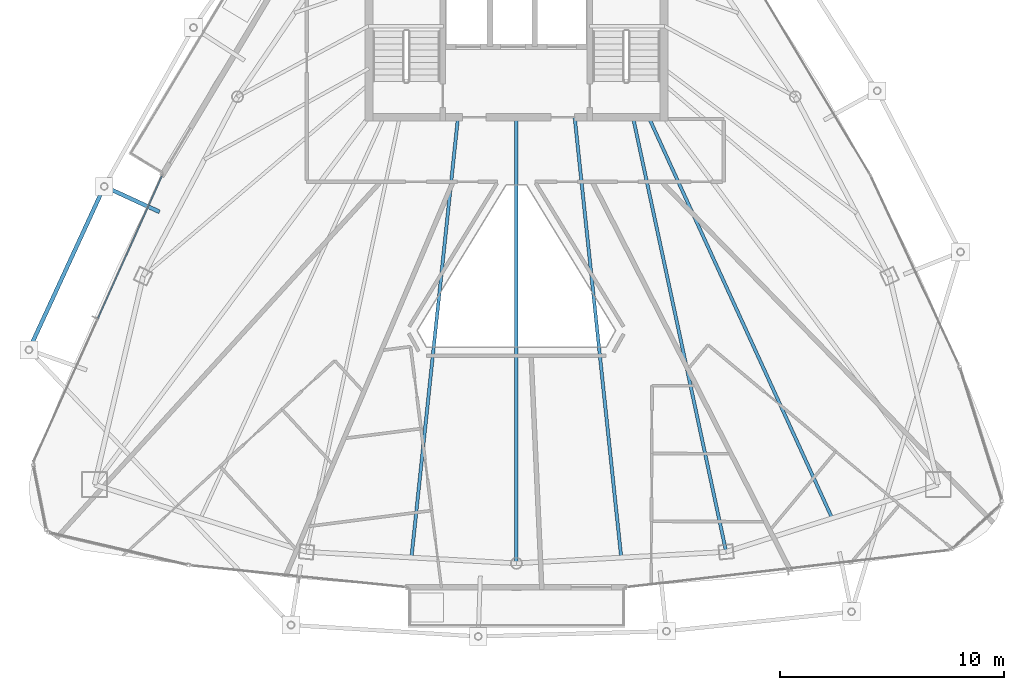
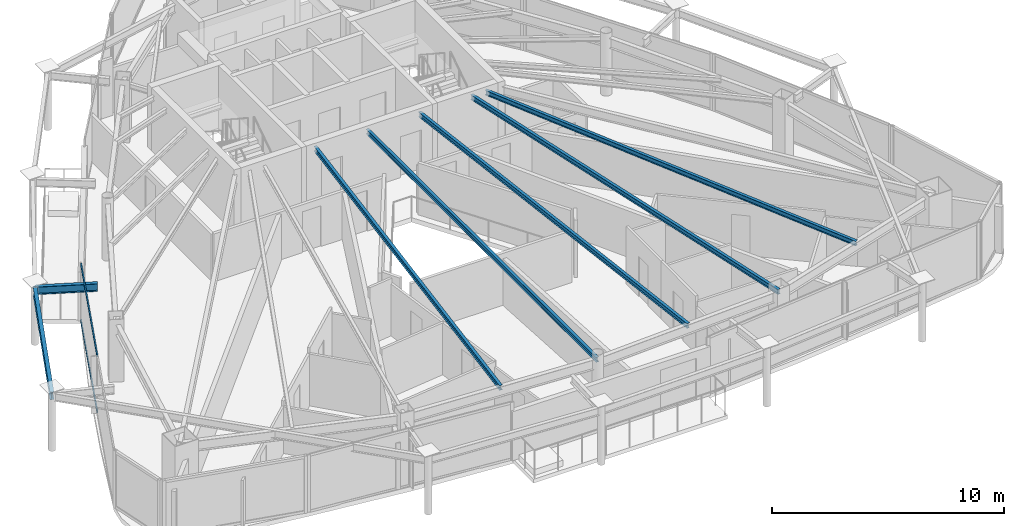
# One storey, part 9 of 30: 7 beams, 2 members, 1 element without a shape of its own.
"""IFC4 building model written with IfcOpenShell, lengths in metres."""

from ifc_helpers import new_model, si_unit, direction, frame, origin, origin_2d, place, context, subcontext, project, spatial, hollow_rectangle, i_section, extrude, material, layer, layer_set, material_profile, profile_set, type_object, element, aggregate, save


model = new_model("IFC4")

# Units and contexts
model_context = context("Model", 3, precision=1e-05, world=origin(), true_north=direction((0.0, 1.0)))
body_context = subcontext(model_context, "Body", "Model", "MODEL_VIEW")
ifc_project = project(units=[si_unit("LENGTHUNIT", "METRE"), si_unit("AREAUNIT", "SQUARE_METRE"), si_unit("VOLUMEUNIT", "CUBIC_METRE"), si_unit("PLANEANGLEUNIT", "RADIAN"), si_unit("MASSUNIT", "GRAM", prefix="KILO")], contexts=[model_context])

# Site, building, storey
site_placement = place(None, origin())
site = spatial("IfcSite", under=ifc_project, at=site_placement, CompositionType="ELEMENT")
building_placement = place(site_placement, origin())
building = spatial("IfcBuilding", under=site, at=building_placement, Name="Orvanel Arch Residences", CompositionType="ELEMENT")
storey_placement = place(building_placement, frame((0.0, 0.0, 273.35009765625)))
storey = spatial("IfcBuildingStorey", under=building, at=storey_placement, Name="L78", CompositionType="ELEMENT", Elevation=273.35009765625)

# Beams
ifc_material_1 = material(Name="Structural steel AS/NZS 3679.1 Grade 300 (300 MPa)", Category="steel")
ifc_material_profile_1 = material_profile(ifc_material_1, i_section(OverallWidth=0.14599609375, OverallDepth=0.251953125, WebThickness=0.006103515625, FlangeThickness=0.008544921875, at=origin_2d()), Name="250UB31.4")
ifc_profile_set_1 = profile_set([ifc_material_profile_1], Name="Structural steel AS/NZS 3679.1 Grade 300 (300 MPa)")
beam_type_1 = type_object("IfcBeamType", Name="BJ-250UB", PredefinedType="JOIST", material=ifc_profile_set_1)
beam_1_placement = place(storey_placement, frame((38.199951171875, 26.72509765625, 2.893798828125), z_axis=(0.209547604985, -0.977798446125, 0.0), x_axis=(0.977798446125, 0.209547604985, 0.0)))
element("IfcBeam", 1, at=beam_1_placement, inside=storey, type_object=beam_type_1, Name="L78 SE Wing Floor Joist", PredefinedType="JOIST", context=body_context, shape_type="SweptSolid", body=[
    extrude(i_section(OverallWidth=0.14599609375, OverallDepth=0.251953125, WebThickness=0.006103515625, FlangeThickness=0.008544921875, at=origin_2d()), origin(), (0.0, 0.0, 1.0), 19.809814453125),
])
beam_2_placement = place(storey_placement, frame((33.0, 26.72509765625, 2.893798828125), z_axis=(0.0, -1.0, 0.0), x_axis=(1.0, 0.0, 0.0)))
element("IfcBeam", 2, at=beam_2_placement, inside=storey, type_object=beam_type_1, Name="L78 SSW Wing Floor Joist", PredefinedType="JOIST", context=body_context, shape_type="SweptSolid", body=[
    extrude(i_section(OverallWidth=0.14599609375, OverallDepth=0.251953125, WebThickness=0.006103515625, FlangeThickness=0.008544921875, at=origin_2d()), origin(), (0.0, 0.0, 1.0), 19.881103515625),
])
for number, where, z_axis, x_axis, name in (
    (3, (30.39990234375, 26.72509765625, 2.893798828125), (-0.105143936131, -0.994457014, 0.0), (0.994457014, -0.105143936131, 0.0), "L78 WSW2 Wing Floor Joist"),
    (4, (35.60009765625, 26.72509765625, 2.893798828125), (0.105143936131, -0.994457014, 0.0), (0.994457014, 0.105143936131, 0.0), "L78 ESE2 Wing Floor Joist"),
):
    element("IfcBeam", number, at=place(storey_placement, frame(where, z_axis=z_axis, x_axis=x_axis)), inside=storey, type_object=beam_type_1, Name=name, PredefinedType="JOIST", context=body_context, shape_type="SweptSolid", body=[
        extrude(i_section(OverallWidth=0.14599609375, OverallDepth=0.251953125, WebThickness=0.006103515625, FlangeThickness=0.008544921875, at=origin_2d()), origin(), (0.0, 0.0, 1.0), 19.734375),
    ])
beam_3_placement = place(storey_placement, frame((38.89990234375, 26.72509765625, 2.893798828125), z_axis=(0.416009574066, -0.909360233508, 0.0), x_axis=(0.909360233508, 0.416009574066, 0.0)))
element("IfcBeam", 5, at=beam_3_placement, inside=storey, type_object=beam_type_1, Name="L78 JADD2 Wing Floor Joist", PredefinedType="JOIST", context=body_context, shape_type="SweptSolid", body=[
    extrude(i_section(OverallWidth=0.14599609375, OverallDepth=0.251953125, WebThickness=0.006103515625, FlangeThickness=0.008544921875, at=origin_2d()), origin(), (0.0, 0.0, 1.0), 19.653564453125),
])
ifc_material_profile_2 = material_profile(ifc_material_1, i_section(OverallWidth=0.177978515625, OverallDepth=0.406005859375, WebThickness=0.0078125, FlangeThickness=0.0126953125, at=origin_2d()), Name="410UB59.7")
ifc_profile_set_2 = profile_set([ifc_material_profile_2], Name="Structural steel AS/NZS 3679.1 Grade 300 (300 MPa)")
beam_type_2 = type_object("IfcBeamType", Name="OB-410UB-EXT", PredefinedType="SPANDREL", material=ifc_profile_set_2)
beam_4_placement = place(storey_placement, frame((17.094970703125, 22.509033203125, 2.81689453125), z_axis=(-0.9084726728, 0.417944257976, 0.0), x_axis=(-0.417944257976, -0.9084726728, 0.0)))
element("IfcBeam", 6, at=beam_4_placement, inside=storey, type_object=beam_type_2, Name="L78 Outer Frame Radial Tie Beam 03", PredefinedType="SPANDREL", context=body_context, shape_type="SweptSolid", body=[
    extrude(i_section(OverallWidth=0.177978515625, OverallDepth=0.406005859375, WebThickness=0.0078125, FlangeThickness=0.0126953125, at=origin_2d()), origin(), (0.0, 0.0, 1.0), 2.7109375),
])
beam_5_placement = place(storey_placement, frame((14.632080078125, 23.64208984375, 2.81689453125), z_axis=(-0.418297492254, -0.908310083602, 0.0), x_axis=(0.908310083602, -0.418297492254, 0.0)))
element("IfcBeam", 7, at=beam_5_placement, inside=storey, type_object=beam_type_2, Name="L78 Outer Perimeter Floor Ring Beam 03", PredefinedType="SPANDREL", context=body_context, shape_type="SweptSolid", body=[
    extrude(i_section(OverallWidth=0.177978515625, OverallDepth=0.406005859375, WebThickness=0.0078125, FlangeThickness=0.0126953125, at=origin_2d()), origin(), (0.0, 0.0, 1.0), 8.0205078125),
])

# Curtain wall, members
ifc_material_2 = material(Name="Bronze-anodised aluminium AA6063-T6", Category="aluminium")
ifc_layer = layer(ifc_material_2, 0.175048828125)
ifc_layer_set = layer_set([ifc_layer], Name="Bronze-anodised aluminium AA6063-T6")
curtain_wall_type = type_object("IfcCurtainWallType", Name="CW4-HI-SYS", PredefinedType="NOTDEFINED", material=ifc_layer_set)
curtain_wall_placement = place(storey_placement, origin())
curtain_wall = element("IfcCurtainWall", 8, at=curtain_wall_placement, inside=storey, type_object=curtain_wall_type, Name="L78 CW4-HI-SYS Unitised Curtain Wall", PredefinedType="NOTDEFINED")
ifc_material_profile_3 = material_profile(ifc_material_2, hollow_rectangle(XDim=0.06005859375, YDim=0.1201171875, WallThickness=0.00341796875, at=origin_2d()), Name="ALU120x60x3.5")
ifc_profile_set_3 = profile_set([ifc_material_profile_3], Name="Bronze-anodised aluminium AA6063-T6")
member_type = type_object("IfcMemberType", Name="TRN-120x60", PredefinedType="USERDEFINED", material=ifc_profile_set_3)
member_1_placement = place(storey_placement, frame((17.201416015625, 24.101806640625, 0.02978515625), z_axis=(-0.409848423616, -0.91215364367, 0.0), x_axis=(0.91215364367, -0.409848423616, 0.0)))
member_1 = element("IfcMember", 9, at=member_1_placement, type_object=member_type, Name="CW-S4 transom 1.1", ObjectType="TRANSOM", PredefinedType="USERDEFINED", context=body_context, shape_type="SweptSolid", body=[
    extrude(hollow_rectangle(XDim=0.06005859375, YDim=0.1201171875, WallThickness=0.00341796875, at=origin_2d()), origin(), (0.0, 0.0, 1.0), 6.942138671875),
])
member_2_placement = place(storey_placement, frame((17.201416015625, 24.101806640625, 2.989990234375), z_axis=(-0.409848423616, -0.91215364367, 0.0), x_axis=(0.91215364367, -0.409848423616, 0.0)))
member_2 = element("IfcMember", 10, at=member_2_placement, type_object=member_type, Name="CW-S4 transom 1.2", ObjectType="TRANSOM", PredefinedType="USERDEFINED", context=body_context, shape_type="SweptSolid", body=[
    extrude(hollow_rectangle(XDim=0.06005859375, YDim=0.1201171875, WallThickness=0.00341796875, at=origin_2d()), origin(), (0.0, 0.0, 1.0), 6.942138671875),
])
aggregate(curtain_wall, [member_1, member_2])

save(model, "model.ifc")
